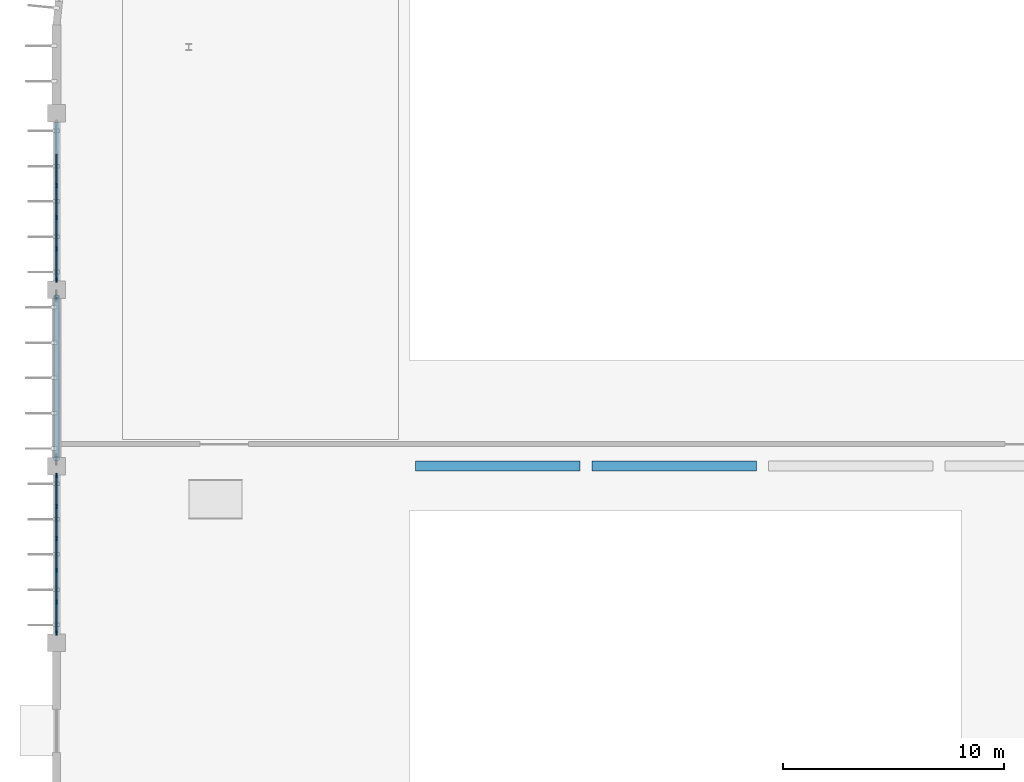
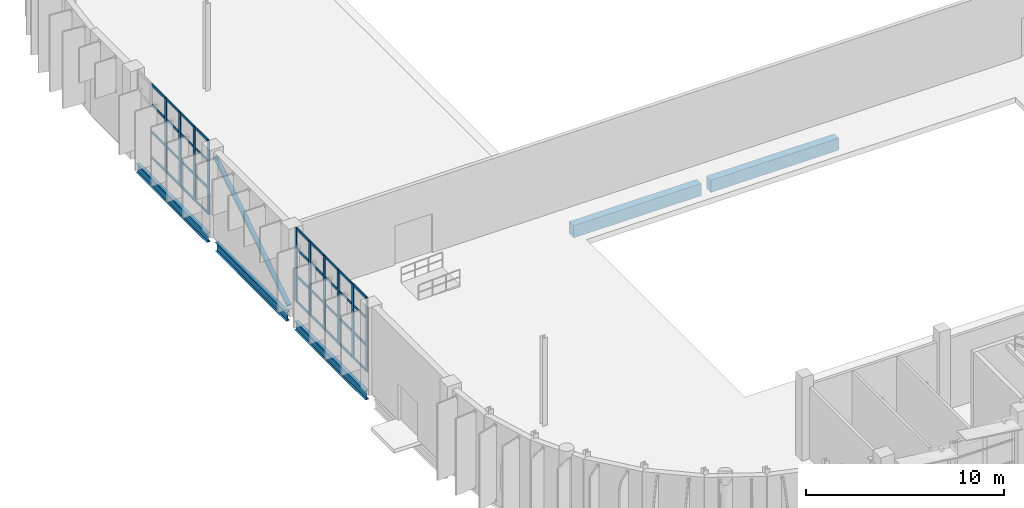
# One storey, part 16 of 103: 47 members, 5 beams, 2 elements without a shape of their own.
"""IFC4 building model written with IfcOpenShell, lengths in metres."""

from ifc_helpers import new_model, si_unit, direction, frame, origin, origin_2d, place, context, subcontext, project, spatial, rectangle, hollow_circle, i_section, extrude, material, layer, layer_set, material_profile, profile_set, type_object, element, aggregate, save


model = new_model("IFC4")

# Units and contexts
model_context = context("Model", 3, precision=1e-05, world=origin(), true_north=direction((0.0, 1.0)))
body_context = subcontext(model_context, "Body", "Model", "MODEL_VIEW")
ifc_project = project(units=[si_unit("LENGTHUNIT", "METRE"), si_unit("AREAUNIT", "SQUARE_METRE"), si_unit("VOLUMEUNIT", "CUBIC_METRE"), si_unit("PLANEANGLEUNIT", "RADIAN"), si_unit("MASSUNIT", "GRAM", prefix="KILO")], contexts=[model_context])

# Site, building, storey
site_placement = place(None, origin())
site = spatial("IfcSite", under=ifc_project, at=site_placement, CompositionType="ELEMENT")
building_placement = place(site_placement, origin())
building = spatial("IfcBuilding", under=site, at=building_placement, Name="Drelvana Railside Aquatics Centre", CompositionType="ELEMENT")
storey_placement = place(building_placement, origin())
storey = spatial("IfcBuildingStorey", under=building, at=storey_placement, Name="L00", CompositionType="ELEMENT", Elevation=0.0)

# Curtain wall, members
ifc_material_1 = material(Name="Bronze-anodised aluminium curtain wall", Category="aluminium")
ifc_layer = layer(ifc_material_1, 0.179931640625, Name="Bronze-anodised aluminium curtain wall")
ifc_layer_set = layer_set([ifc_layer], Name="Bronze-anodised aluminium curtain wall")
curtain_wall_type = type_object("IfcCurtainWallType", Name="CW-Z2-CLER", PredefinedType="NOTDEFINED", material=ifc_layer_set)
curtain_wall_1_placement = place(storey_placement, origin())
curtain_wall_1 = element("IfcCurtainWall", 1, at=curtain_wall_1_placement, inside=storey, type_object=curtain_wall_type, Name="Curtain wall CW-02-045", PredefinedType="NOTDEFINED")
ifc_material_2 = material(Name="Bronze-anodised aluminium 6063-T6", Category="aluminium")
ifc_material_profile_1 = material_profile(ifc_material_2, rectangle(XDim=0.070068359375, YDim=0.199951171875, at=origin_2d()), Name="ALU-M 70x200")
ifc_profile_set_1 = profile_set([ifc_material_profile_1], Name="Bronze-anodised aluminium 6063-T6")
member_type_1 = type_object("IfcMemberType", Name="CW-Z2-CLER-MUL", PredefinedType="MULLION", material=ifc_profile_set_1)
member_1_placement = place(storey_placement, frame((0.0, 40.428955078125, 0.843994140625), z_axis=(0.0, 0.0, 1.0), x_axis=(-1.0, 0.0, 0.0)))
member_1 = element("IfcMember", 2, at=member_1_placement, type_object=member_type_1, Name="CW-02 mullion 1", PredefinedType="MULLION", context=body_context, shape_type="SweptSolid", body=[
    extrude(rectangle(XDim=0.070068359375, YDim=0.199951171875, at=origin_2d()), origin(), (0.0, 0.0, 1.0), 4.5458984375),
])
member_2_placement = place(storey_placement, frame((0.0, 41.83642578125, 0.843994140625), z_axis=(0.0, 0.0, 1.0), x_axis=(-1.0, 0.0, 0.0)))
member_2 = element("IfcMember", 3, at=member_2_placement, type_object=member_type_1, Name="CW-02 mullion 2", PredefinedType="MULLION", context=body_context, shape_type="SweptSolid", body=[
    extrude(rectangle(XDim=0.070068359375, YDim=0.199951171875, at=origin_2d()), origin(), (0.0, 0.0, 1.0), 4.5458984375),
])
member_3_placement = place(storey_placement, frame((0.0, 43.27880859375, 0.843994140625), z_axis=(0.0, 0.0, 1.0), x_axis=(-1.0, 0.0, 0.0)))
member_3 = element("IfcMember", 4, at=member_3_placement, type_object=member_type_1, Name="CW-02 mullion 3", PredefinedType="MULLION", context=body_context, shape_type="SweptSolid", body=[
    extrude(rectangle(XDim=0.070068359375, YDim=0.199951171875, at=origin_2d()), origin(), (0.0, 0.0, 1.0), 4.5458984375),
])
member_4_placement = place(storey_placement, frame((0.0, 44.72119140625, 0.843994140625), z_axis=(0.0, 0.0, 1.0), x_axis=(-1.0, 0.0, 0.0)))
member_4 = element("IfcMember", 5, at=member_4_placement, type_object=member_type_1, Name="CW-02 mullion 4", PredefinedType="MULLION", context=body_context, shape_type="SweptSolid", body=[
    extrude(rectangle(XDim=0.070068359375, YDim=0.199951171875, at=origin_2d()), origin(), (0.0, 0.0, 1.0), 4.5458984375),
])
member_5_placement = place(storey_placement, frame((0.0, 46.16357421875, 0.843994140625), z_axis=(0.0, 0.0, 1.0), x_axis=(-1.0, 0.0, 0.0)))
member_5 = element("IfcMember", 6, at=member_5_placement, type_object=member_type_1, Name="CW-02 mullion 5", PredefinedType="MULLION", context=body_context, shape_type="SweptSolid", body=[
    extrude(rectangle(XDim=0.070068359375, YDim=0.199951171875, at=origin_2d()), origin(), (0.0, 0.0, 1.0), 4.5458984375),
])
member_6_placement = place(storey_placement, frame((0.0, 47.571044921875, 0.843994140625), z_axis=(0.0, 0.0, 1.0), x_axis=(-1.0, 0.0, 0.0)))
member_6 = element("IfcMember", 7, at=member_6_placement, type_object=member_type_1, Name="CW-02 mullion 6", PredefinedType="MULLION", context=body_context, shape_type="SweptSolid", body=[
    extrude(rectangle(XDim=0.070068359375, YDim=0.199951171875, at=origin_2d()), origin(), (0.0, 0.0, 1.0), 4.5458984375),
])

curtain_wall_2_placement = place(storey_placement, origin())
curtain_wall_2 = element("IfcCurtainWall", 8, at=curtain_wall_2_placement, inside=storey, type_object=curtain_wall_type, Name="Curtain wall CW-02-050", PredefinedType="NOTDEFINED")
member_7_placement = place(storey_placement, frame((0.0, 56.428955078125, 0.843994140625), z_axis=(0.0, 0.0, 1.0), x_axis=(-1.0, 0.0, 0.0)))
member_7 = element("IfcMember", 9, at=member_7_placement, type_object=member_type_1, Name="CW-02 mullion 1", PredefinedType="MULLION", context=body_context, shape_type="SweptSolid", body=[
    extrude(rectangle(XDim=0.070068359375, YDim=0.199951171875, at=origin_2d()), origin(), (0.0, 0.0, 1.0), 4.5458984375),
])
member_8_placement = place(storey_placement, frame((0.0, 57.83642578125, 0.843994140625), z_axis=(0.0, 0.0, 1.0), x_axis=(-1.0, 0.0, 0.0)))
member_8 = element("IfcMember", 10, at=member_8_placement, type_object=member_type_1, Name="CW-02 mullion 2", PredefinedType="MULLION", context=body_context, shape_type="SweptSolid", body=[
    extrude(rectangle(XDim=0.070068359375, YDim=0.199951171875, at=origin_2d()), origin(), (0.0, 0.0, 1.0), 4.5458984375),
])
member_9_placement = place(storey_placement, frame((0.0, 59.27880859375, 0.843994140625), z_axis=(0.0, 0.0, 1.0), x_axis=(-1.0, 0.0, 0.0)))
member_9 = element("IfcMember", 11, at=member_9_placement, type_object=member_type_1, Name="CW-02 mullion 3", PredefinedType="MULLION", context=body_context, shape_type="SweptSolid", body=[
    extrude(rectangle(XDim=0.070068359375, YDim=0.199951171875, at=origin_2d()), origin(), (0.0, 0.0, 1.0), 4.5458984375),
])
member_10_placement = place(storey_placement, frame((0.0, 60.72119140625, 0.843994140625), z_axis=(0.0, 0.0, 1.0), x_axis=(-1.0, 0.0, 0.0)))
member_10 = element("IfcMember", 12, at=member_10_placement, type_object=member_type_1, Name="CW-02 mullion 4", PredefinedType="MULLION", context=body_context, shape_type="SweptSolid", body=[
    extrude(rectangle(XDim=0.070068359375, YDim=0.199951171875, at=origin_2d()), origin(), (0.0, 0.0, 1.0), 4.5458984375),
])

# Member
ifc_material_profile_2 = material_profile(ifc_material_2, rectangle(XDim=0.139892578125, YDim=0.06494140625, at=origin_2d()), Name="ALU-T 65x140")
ifc_profile_set_2 = profile_set([ifc_material_profile_2], Name="Bronze-anodised aluminium 6063-T6")
member_type_2 = type_object("IfcMemberType", Name="CW-Z2-CLER-TRN", PredefinedType="USERDEFINED", material=ifc_profile_set_2)
member_11_placement = place(storey_placement, frame((0.0, 40.458984375, 0.87646484375), z_axis=(0.0, 1.0, 0.0), x_axis=(0.0, 0.0, 1.0)))
member_11 = element("IfcMember", 13, at=member_11_placement, type_object=member_type_2, Name="CW-02 transom 1.1", ObjectType="TRANSOM", PredefinedType="USERDEFINED", context=body_context, shape_type="SweptSolid", body=[
    extrude(rectangle(XDim=0.139892578125, YDim=0.06494140625, at=origin_2d()), origin(), (0.0, 0.0, 1.0), 1.347412109375),
])

member_12_placement = place(storey_placement, frame((0.0, 40.458984375, 2.43505859375), z_axis=(0.0, 1.0, 0.0), x_axis=(0.0, 0.0, 1.0)))
member_12 = element("IfcMember", 14, at=member_12_placement, type_object=member_type_2, Name="CW-02 transom 1.2", ObjectType="TRANSOM", PredefinedType="USERDEFINED", context=body_context, shape_type="SweptSolid", body=[
    extrude(rectangle(XDim=0.139892578125, YDim=0.06494140625, at=origin_2d()), origin(), (0.0, 0.0, 1.0), 1.347412109375),
])

member_13_placement = place(storey_placement, frame((0.0, 40.458984375, 4.116943359375), z_axis=(0.0, 1.0, 0.0), x_axis=(0.0, 0.0, 1.0)))
member_13 = element("IfcMember", 15, at=member_13_placement, type_object=member_type_2, Name="CW-02 transom 1.3", ObjectType="TRANSOM", PredefinedType="USERDEFINED", context=body_context, shape_type="SweptSolid", body=[
    extrude(rectangle(XDim=0.139892578125, YDim=0.06494140625, at=origin_2d()), origin(), (0.0, 0.0, 1.0), 1.347412109375),
])

member_14_placement = place(storey_placement, frame((0.0, 40.458984375, 5.357421875), z_axis=(0.0, 1.0, 0.0), x_axis=(0.0, 0.0, 1.0)))
member_14 = element("IfcMember", 16, at=member_14_placement, type_object=member_type_2, Name="CW-02 transom 1.4", ObjectType="TRANSOM", PredefinedType="USERDEFINED", context=body_context, shape_type="SweptSolid", body=[
    extrude(rectangle(XDim=0.139892578125, YDim=0.06494140625, at=origin_2d()), origin(), (0.0, 0.0, 1.0), 1.347412109375),
])

member_15_placement = place(storey_placement, frame((0.0, 41.866455078125, 0.87646484375), z_axis=(0.0, 1.0, 0.0), x_axis=(0.0, 0.0, 1.0)))
member_15 = element("IfcMember", 17, at=member_15_placement, type_object=member_type_2, Name="CW-02 transom 2.1", ObjectType="TRANSOM", PredefinedType="USERDEFINED", context=body_context, shape_type="SweptSolid", body=[
    extrude(rectangle(XDim=0.139892578125, YDim=0.06494140625, at=origin_2d()), origin(), (0.0, 0.0, 1.0), 1.38232421875),
])

member_16_placement = place(storey_placement, frame((0.0, 41.866455078125, 2.43505859375), z_axis=(0.0, 1.0, 0.0), x_axis=(0.0, 0.0, 1.0)))
member_16 = element("IfcMember", 18, at=member_16_placement, type_object=member_type_2, Name="CW-02 transom 2.2", ObjectType="TRANSOM", PredefinedType="USERDEFINED", context=body_context, shape_type="SweptSolid", body=[
    extrude(rectangle(XDim=0.139892578125, YDim=0.06494140625, at=origin_2d()), origin(), (0.0, 0.0, 1.0), 1.38232421875),
])

member_17_placement = place(storey_placement, frame((0.0, 41.866455078125, 4.116943359375), z_axis=(0.0, 1.0, 0.0), x_axis=(0.0, 0.0, 1.0)))
member_17 = element("IfcMember", 19, at=member_17_placement, type_object=member_type_2, Name="CW-02 transom 2.3", ObjectType="TRANSOM", PredefinedType="USERDEFINED", context=body_context, shape_type="SweptSolid", body=[
    extrude(rectangle(XDim=0.139892578125, YDim=0.06494140625, at=origin_2d()), origin(), (0.0, 0.0, 1.0), 1.38232421875),
])

member_18_placement = place(storey_placement, frame((0.0, 41.866455078125, 5.357421875), z_axis=(0.0, 1.0, 0.0), x_axis=(0.0, 0.0, 1.0)))
member_18 = element("IfcMember", 20, at=member_18_placement, type_object=member_type_2, Name="CW-02 transom 2.4", ObjectType="TRANSOM", PredefinedType="USERDEFINED", context=body_context, shape_type="SweptSolid", body=[
    extrude(rectangle(XDim=0.139892578125, YDim=0.06494140625, at=origin_2d()), origin(), (0.0, 0.0, 1.0), 1.38232421875),
])

member_19_placement = place(storey_placement, frame((0.0, 43.308837890625, 0.87646484375), z_axis=(0.0, 1.0, 0.0), x_axis=(0.0, 0.0, 1.0)))
member_19 = element("IfcMember", 21, at=member_19_placement, type_object=member_type_2, Name="CW-02 transom 3.1", ObjectType="TRANSOM", PredefinedType="USERDEFINED", context=body_context, shape_type="SweptSolid", body=[
    extrude(rectangle(XDim=0.139892578125, YDim=0.06494140625, at=origin_2d()), origin(), (0.0, 0.0, 1.0), 1.38232421875),
])

member_20_placement = place(storey_placement, frame((0.0, 43.308837890625, 2.43505859375), z_axis=(0.0, 1.0, 0.0), x_axis=(0.0, 0.0, 1.0)))
member_20 = element("IfcMember", 22, at=member_20_placement, type_object=member_type_2, Name="CW-02 transom 3.2", ObjectType="TRANSOM", PredefinedType="USERDEFINED", context=body_context, shape_type="SweptSolid", body=[
    extrude(rectangle(XDim=0.139892578125, YDim=0.06494140625, at=origin_2d()), origin(), (0.0, 0.0, 1.0), 1.38232421875),
])

member_21_placement = place(storey_placement, frame((0.0, 43.308837890625, 4.116943359375), z_axis=(0.0, 1.0, 0.0), x_axis=(0.0, 0.0, 1.0)))
member_21 = element("IfcMember", 23, at=member_21_placement, type_object=member_type_2, Name="CW-02 transom 3.3", ObjectType="TRANSOM", PredefinedType="USERDEFINED", context=body_context, shape_type="SweptSolid", body=[
    extrude(rectangle(XDim=0.139892578125, YDim=0.06494140625, at=origin_2d()), origin(), (0.0, 0.0, 1.0), 1.38232421875),
])

member_22_placement = place(storey_placement, frame((0.0, 43.308837890625, 5.357421875), z_axis=(0.0, 1.0, 0.0), x_axis=(0.0, 0.0, 1.0)))
member_22 = element("IfcMember", 24, at=member_22_placement, type_object=member_type_2, Name="CW-02 transom 3.4", ObjectType="TRANSOM", PredefinedType="USERDEFINED", context=body_context, shape_type="SweptSolid", body=[
    extrude(rectangle(XDim=0.139892578125, YDim=0.06494140625, at=origin_2d()), origin(), (0.0, 0.0, 1.0), 1.38232421875),
])

member_23_placement = place(storey_placement, frame((0.0, 44.751220703125, 0.87646484375), z_axis=(0.0, 1.0, 0.0), x_axis=(0.0, 0.0, 1.0)))
member_23 = element("IfcMember", 25, at=member_23_placement, type_object=member_type_2, Name="CW-02 transom 4.1", ObjectType="TRANSOM", PredefinedType="USERDEFINED", context=body_context, shape_type="SweptSolid", body=[
    extrude(rectangle(XDim=0.139892578125, YDim=0.06494140625, at=origin_2d()), origin(), (0.0, 0.0, 1.0), 1.38232421875),
])

member_24_placement = place(storey_placement, frame((0.0, 44.751220703125, 2.43505859375), z_axis=(0.0, 1.0, 0.0), x_axis=(0.0, 0.0, 1.0)))
member_24 = element("IfcMember", 26, at=member_24_placement, type_object=member_type_2, Name="CW-02 transom 4.2", ObjectType="TRANSOM", PredefinedType="USERDEFINED", context=body_context, shape_type="SweptSolid", body=[
    extrude(rectangle(XDim=0.139892578125, YDim=0.06494140625, at=origin_2d()), origin(), (0.0, 0.0, 1.0), 1.38232421875),
])

member_25_placement = place(storey_placement, frame((0.0, 44.751220703125, 4.116943359375), z_axis=(0.0, 1.0, 0.0), x_axis=(0.0, 0.0, 1.0)))
member_25 = element("IfcMember", 27, at=member_25_placement, type_object=member_type_2, Name="CW-02 transom 4.3", ObjectType="TRANSOM", PredefinedType="USERDEFINED", context=body_context, shape_type="SweptSolid", body=[
    extrude(rectangle(XDim=0.139892578125, YDim=0.06494140625, at=origin_2d()), origin(), (0.0, 0.0, 1.0), 1.38232421875),
])

member_26_placement = place(storey_placement, frame((0.0, 44.751220703125, 5.357421875), z_axis=(0.0, 1.0, 0.0), x_axis=(0.0, 0.0, 1.0)))
member_26 = element("IfcMember", 28, at=member_26_placement, type_object=member_type_2, Name="CW-02 transom 4.4", ObjectType="TRANSOM", PredefinedType="USERDEFINED", context=body_context, shape_type="SweptSolid", body=[
    extrude(rectangle(XDim=0.139892578125, YDim=0.06494140625, at=origin_2d()), origin(), (0.0, 0.0, 1.0), 1.38232421875),
])

member_27_placement = place(storey_placement, frame((0.0, 46.193603515625, 0.87646484375), z_axis=(0.0, 1.0, 0.0), x_axis=(0.0, 0.0, 1.0)))
member_27 = element("IfcMember", 29, at=member_27_placement, type_object=member_type_2, Name="CW-02 transom 5.1", ObjectType="TRANSOM", PredefinedType="USERDEFINED", context=body_context, shape_type="SweptSolid", body=[
    extrude(rectangle(XDim=0.139892578125, YDim=0.06494140625, at=origin_2d()), origin(), (0.0, 0.0, 1.0), 1.347412109375),
])

member_28_placement = place(storey_placement, frame((0.0, 46.193603515625, 2.43505859375), z_axis=(0.0, 1.0, 0.0), x_axis=(0.0, 0.0, 1.0)))
member_28 = element("IfcMember", 30, at=member_28_placement, type_object=member_type_2, Name="CW-02 transom 5.2", ObjectType="TRANSOM", PredefinedType="USERDEFINED", context=body_context, shape_type="SweptSolid", body=[
    extrude(rectangle(XDim=0.139892578125, YDim=0.06494140625, at=origin_2d()), origin(), (0.0, 0.0, 1.0), 1.347412109375),
])

member_29_placement = place(storey_placement, frame((0.0, 46.193603515625, 4.116943359375), z_axis=(0.0, 1.0, 0.0), x_axis=(0.0, 0.0, 1.0)))
member_29 = element("IfcMember", 31, at=member_29_placement, type_object=member_type_2, Name="CW-02 transom 5.3", ObjectType="TRANSOM", PredefinedType="USERDEFINED", context=body_context, shape_type="SweptSolid", body=[
    extrude(rectangle(XDim=0.139892578125, YDim=0.06494140625, at=origin_2d()), origin(), (0.0, 0.0, 1.0), 1.347412109375),
])

member_30_placement = place(storey_placement, frame((0.0, 46.193603515625, 5.357421875), z_axis=(0.0, 1.0, 0.0), x_axis=(0.0, 0.0, 1.0)))
member_30 = element("IfcMember", 32, at=member_30_placement, type_object=member_type_2, Name="CW-02 transom 5.4", ObjectType="TRANSOM", PredefinedType="USERDEFINED", context=body_context, shape_type="SweptSolid", body=[
    extrude(rectangle(XDim=0.139892578125, YDim=0.06494140625, at=origin_2d()), origin(), (0.0, 0.0, 1.0), 1.347412109375),
])

aggregate(curtain_wall_1, [member_1, member_2, member_3, member_4, member_5, member_6, member_11, member_12, member_13, member_14, member_15, member_16, member_17, member_18, member_19, member_20, member_21, member_22, member_23, member_24, member_25, member_26, member_27, member_28, member_29, member_30])

member_31_placement = place(storey_placement, frame((0.0, 56.458984375, 0.87646484375), z_axis=(0.0, 1.0, 0.0), x_axis=(0.0, 0.0, 1.0)))
member_31 = element("IfcMember", 33, at=member_31_placement, type_object=member_type_2, Name="CW-02 transom 1.1", ObjectType="TRANSOM", PredefinedType="USERDEFINED", context=body_context, shape_type="SweptSolid", body=[
    extrude(rectangle(XDim=0.139892578125, YDim=0.06494140625, at=origin_2d()), origin(), (0.0, 0.0, 1.0), 1.347412109375),
])

member_32_placement = place(storey_placement, frame((0.0, 56.458984375, 2.43505859375), z_axis=(0.0, 1.0, 0.0), x_axis=(0.0, 0.0, 1.0)))
member_32 = element("IfcMember", 34, at=member_32_placement, type_object=member_type_2, Name="CW-02 transom 1.2", ObjectType="TRANSOM", PredefinedType="USERDEFINED", context=body_context, shape_type="SweptSolid", body=[
    extrude(rectangle(XDim=0.139892578125, YDim=0.06494140625, at=origin_2d()), origin(), (0.0, 0.0, 1.0), 1.347412109375),
])

member_33_placement = place(storey_placement, frame((0.0, 56.458984375, 4.116943359375), z_axis=(0.0, 1.0, 0.0), x_axis=(0.0, 0.0, 1.0)))
member_33 = element("IfcMember", 35, at=member_33_placement, type_object=member_type_2, Name="CW-02 transom 1.3", ObjectType="TRANSOM", PredefinedType="USERDEFINED", context=body_context, shape_type="SweptSolid", body=[
    extrude(rectangle(XDim=0.139892578125, YDim=0.06494140625, at=origin_2d()), origin(), (0.0, 0.0, 1.0), 1.347412109375),
])

member_34_placement = place(storey_placement, frame((0.0, 56.458984375, 5.357421875), z_axis=(0.0, 1.0, 0.0), x_axis=(0.0, 0.0, 1.0)))
member_34 = element("IfcMember", 36, at=member_34_placement, type_object=member_type_2, Name="CW-02 transom 1.4", ObjectType="TRANSOM", PredefinedType="USERDEFINED", context=body_context, shape_type="SweptSolid", body=[
    extrude(rectangle(XDim=0.139892578125, YDim=0.06494140625, at=origin_2d()), origin(), (0.0, 0.0, 1.0), 1.347412109375),
])

member_35_placement = place(storey_placement, frame((0.0, 57.866455078125, 0.87646484375), z_axis=(0.0, 1.0, 0.0), x_axis=(0.0, 0.0, 1.0)))
member_35 = element("IfcMember", 37, at=member_35_placement, type_object=member_type_2, Name="CW-02 transom 2.1", ObjectType="TRANSOM", PredefinedType="USERDEFINED", context=body_context, shape_type="SweptSolid", body=[
    extrude(rectangle(XDim=0.139892578125, YDim=0.06494140625, at=origin_2d()), origin(), (0.0, 0.0, 1.0), 1.38232421875),
])

member_36_placement = place(storey_placement, frame((0.0, 57.866455078125, 2.43505859375), z_axis=(0.0, 1.0, 0.0), x_axis=(0.0, 0.0, 1.0)))
member_36 = element("IfcMember", 38, at=member_36_placement, type_object=member_type_2, Name="CW-02 transom 2.2", ObjectType="TRANSOM", PredefinedType="USERDEFINED", context=body_context, shape_type="SweptSolid", body=[
    extrude(rectangle(XDim=0.139892578125, YDim=0.06494140625, at=origin_2d()), origin(), (0.0, 0.0, 1.0), 1.38232421875),
])

member_37_placement = place(storey_placement, frame((0.0, 57.866455078125, 4.116943359375), z_axis=(0.0, 1.0, 0.0), x_axis=(0.0, 0.0, 1.0)))
member_37 = element("IfcMember", 39, at=member_37_placement, type_object=member_type_2, Name="CW-02 transom 2.3", ObjectType="TRANSOM", PredefinedType="USERDEFINED", context=body_context, shape_type="SweptSolid", body=[
    extrude(rectangle(XDim=0.139892578125, YDim=0.06494140625, at=origin_2d()), origin(), (0.0, 0.0, 1.0), 1.38232421875),
])

member_38_placement = place(storey_placement, frame((0.0, 57.866455078125, 5.357421875), z_axis=(0.0, 1.0, 0.0), x_axis=(0.0, 0.0, 1.0)))
member_38 = element("IfcMember", 40, at=member_38_placement, type_object=member_type_2, Name="CW-02 transom 2.4", ObjectType="TRANSOM", PredefinedType="USERDEFINED", context=body_context, shape_type="SweptSolid", body=[
    extrude(rectangle(XDim=0.139892578125, YDim=0.06494140625, at=origin_2d()), origin(), (0.0, 0.0, 1.0), 1.38232421875),
])

member_39_placement = place(storey_placement, frame((0.0, 59.308837890625, 0.87646484375), z_axis=(0.0, 1.0, 0.0), x_axis=(0.0, 0.0, 1.0)))
member_39 = element("IfcMember", 41, at=member_39_placement, type_object=member_type_2, Name="CW-02 transom 3.1", ObjectType="TRANSOM", PredefinedType="USERDEFINED", context=body_context, shape_type="SweptSolid", body=[
    extrude(rectangle(XDim=0.139892578125, YDim=0.06494140625, at=origin_2d()), origin(), (0.0, 0.0, 1.0), 1.38232421875),
])

member_40_placement = place(storey_placement, frame((0.0, 59.308837890625, 2.43505859375), z_axis=(0.0, 1.0, 0.0), x_axis=(0.0, 0.0, 1.0)))
member_40 = element("IfcMember", 42, at=member_40_placement, type_object=member_type_2, Name="CW-02 transom 3.2", ObjectType="TRANSOM", PredefinedType="USERDEFINED", context=body_context, shape_type="SweptSolid", body=[
    extrude(rectangle(XDim=0.139892578125, YDim=0.06494140625, at=origin_2d()), origin(), (0.0, 0.0, 1.0), 1.38232421875),
])

member_41_placement = place(storey_placement, frame((0.0, 59.308837890625, 4.116943359375), z_axis=(0.0, 1.0, 0.0), x_axis=(0.0, 0.0, 1.0)))
member_41 = element("IfcMember", 43, at=member_41_placement, type_object=member_type_2, Name="CW-02 transom 3.3", ObjectType="TRANSOM", PredefinedType="USERDEFINED", context=body_context, shape_type="SweptSolid", body=[
    extrude(rectangle(XDim=0.139892578125, YDim=0.06494140625, at=origin_2d()), origin(), (0.0, 0.0, 1.0), 1.38232421875),
])

member_42_placement = place(storey_placement, frame((0.0, 59.308837890625, 5.357421875), z_axis=(0.0, 1.0, 0.0), x_axis=(0.0, 0.0, 1.0)))
member_42 = element("IfcMember", 44, at=member_42_placement, type_object=member_type_2, Name="CW-02 transom 3.4", ObjectType="TRANSOM", PredefinedType="USERDEFINED", context=body_context, shape_type="SweptSolid", body=[
    extrude(rectangle(XDim=0.139892578125, YDim=0.06494140625, at=origin_2d()), origin(), (0.0, 0.0, 1.0), 1.38232421875),
])

member_43_placement = place(storey_placement, frame((0.0, 60.751220703125, 0.87646484375), z_axis=(0.0, 1.0, 0.0), x_axis=(0.0, 0.0, 1.0)))
member_43 = element("IfcMember", 45, at=member_43_placement, type_object=member_type_2, Name="CW-02 transom 4.1", ObjectType="TRANSOM", PredefinedType="USERDEFINED", context=body_context, shape_type="SweptSolid", body=[
    extrude(rectangle(XDim=0.139892578125, YDim=0.06494140625, at=origin_2d()), origin(), (0.0, 0.0, 1.0), 1.38232421875),
])

member_44_placement = place(storey_placement, frame((0.0, 60.751220703125, 2.43505859375), z_axis=(0.0, 1.0, 0.0), x_axis=(0.0, 0.0, 1.0)))
member_44 = element("IfcMember", 46, at=member_44_placement, type_object=member_type_2, Name="CW-02 transom 4.2", ObjectType="TRANSOM", PredefinedType="USERDEFINED", context=body_context, shape_type="SweptSolid", body=[
    extrude(rectangle(XDim=0.139892578125, YDim=0.06494140625, at=origin_2d()), origin(), (0.0, 0.0, 1.0), 1.38232421875),
])

member_45_placement = place(storey_placement, frame((0.0, 60.751220703125, 4.116943359375), z_axis=(0.0, 1.0, 0.0), x_axis=(0.0, 0.0, 1.0)))
member_45 = element("IfcMember", 47, at=member_45_placement, type_object=member_type_2, Name="CW-02 transom 4.3", ObjectType="TRANSOM", PredefinedType="USERDEFINED", context=body_context, shape_type="SweptSolid", body=[
    extrude(rectangle(XDim=0.139892578125, YDim=0.06494140625, at=origin_2d()), origin(), (0.0, 0.0, 1.0), 1.38232421875),
])

member_46_placement = place(storey_placement, frame((0.0, 60.751220703125, 5.357421875), z_axis=(0.0, 1.0, 0.0), x_axis=(0.0, 0.0, 1.0)))
member_46 = element("IfcMember", 48, at=member_46_placement, type_object=member_type_2, Name="CW-02 transom 4.4", ObjectType="TRANSOM", PredefinedType="USERDEFINED", context=body_context, shape_type="SweptSolid", body=[
    extrude(rectangle(XDim=0.139892578125, YDim=0.06494140625, at=origin_2d()), origin(), (0.0, 0.0, 1.0), 1.38232421875),
])

aggregate(curtain_wall_2, [member_7, member_8, member_9, member_10, member_31, member_32, member_33, member_34, member_35, member_36, member_37, member_38, member_39, member_40, member_41, member_42, member_43, member_44, member_45, member_46])

# Beams
ifc_material_3 = material(Name="Concrete C40/50", Category="concrete")
ifc_material_profile_3 = material_profile(ifc_material_3, rectangle(XDim=0.449951171875, YDim=0.75, at=origin_2d()), Name="RC 450x750")
ifc_profile_set_3 = profile_set([ifc_material_profile_3], Name="Concrete C40/50")
beam_type_1 = type_object("IfcBeamType", Name="STR-BM-BM-04-RC-450x750", PredefinedType="BEAM", material=ifc_profile_set_3)
for number, where, z_axis, x_axis, name in (
    (49, (16.27490234375, 48.0, -0.705078125), (1.0, 0.0, 0.0), (0.0, 1.0, 0.0), "Girder BM-04 (L00)"),
    (50, (24.27490234375, 48.0, -0.705078125), (1.0, 0.0, 0.0), (0.0, 1.0, 0.0), "Girder BM-04 (L00)"),
):
    element("IfcBeam", number, at=place(storey_placement, frame(where, z_axis=z_axis, x_axis=x_axis)), inside=storey, type_object=beam_type_1, Name=name, PredefinedType="BEAM", context=body_context, shape_type="SweptSolid", body=[
        extrude(rectangle(XDim=0.449951171875, YDim=0.75, at=origin_2d()), origin(), (0.0, 0.0, 1.0), 7.4501953125),
    ])

# Member
ifc_material_4 = material(Name="Structural steel S355", Category="steel")
ifc_material_profile_4 = material_profile(ifc_material_4, hollow_circle(Radius=0.136474609375, WallThickness=0.012451171875, at=origin_2d()), Name="CHS 273x12.5")
ifc_profile_set_4 = profile_set([ifc_material_profile_4], Name="Structural steel S355")
member_type_3 = type_object("IfcMemberType", Name="STR-MBR-BR-03", PredefinedType="BRACE", material=ifc_profile_set_4)
member_47_placement = place(storey_placement, frame((0.0, 48.300048828125, 0.14990234375), z_axis=(0.0, 0.846699473913, 0.5320714246), x_axis=(-1.0, 0.0, 0.0)))
element("IfcMember", 51, at=member_47_placement, inside=storey, type_object=member_type_3, Name="Lateral frame brace BR-01 (L00)", PredefinedType="BRACE", context=body_context, shape_type="SweptSolid", body=[
    extrude(hollow_circle(Radius=0.136474609375, WallThickness=0.012451171875, at=origin_2d()), origin(), (0.0, 0.0, 1.0), 8.73974609375),
])

# Beams
ifc_material_profile_5 = material_profile(ifc_material_4, i_section(OverallWidth=0.2099609375, OverallDepth=0.550048828125, WebThickness=0.010986328125, FlangeThickness=0.01708984375, at=origin_2d()), Name="IPE 550")
ifc_profile_set_5 = profile_set([ifc_material_profile_5], Name="Structural steel S355")
beam_type_2 = type_object("IfcBeamType", Name="STR-SBM-SB-04-IPE-550", PredefinedType="SPANDREL", material=ifc_profile_set_5)
for number, where, z_axis, x_axis, name in (
    (52, (0.0, 40.425048828125, -0.60498046875), (0.0, 1.0, 0.0), (-1.0, 0.0, 0.0), "Girder SB-04 (L00)"),
    (53, (0.0, 48.425048828125, -0.60498046875), (0.0, 1.0, 0.0), (-1.0, 0.0, 0.0), "Girder SB-04 (L00)"),
    (54, (0.0, 56.425048828125, -0.60498046875), (0.0, 1.0, 0.0), (-1.0, 0.0, 0.0), "Girder SB-04 (L00)"),
):
    element("IfcBeam", number, at=place(storey_placement, frame(where, z_axis=z_axis, x_axis=x_axis)), inside=storey, type_object=beam_type_2, Name=name, PredefinedType="SPANDREL", context=body_context, shape_type="SweptSolid", body=[
        extrude(i_section(OverallWidth=0.2099609375, OverallDepth=0.550048828125, WebThickness=0.010986328125, FlangeThickness=0.01708984375, at=origin_2d()), origin(), (0.0, 0.0, 1.0), 7.14990234375),
    ])

save(model, "model.ifc")
